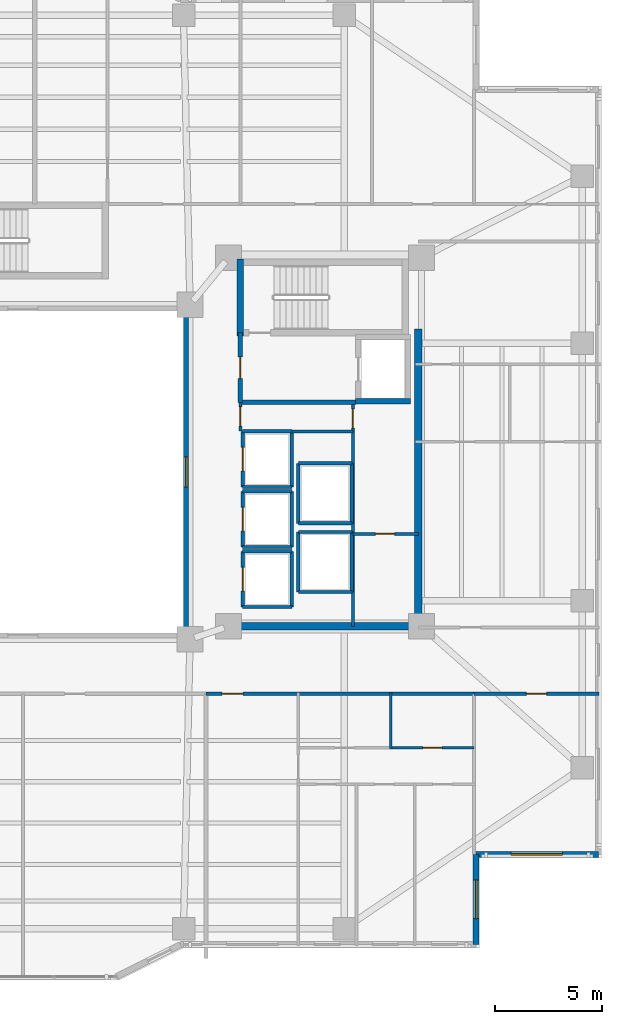
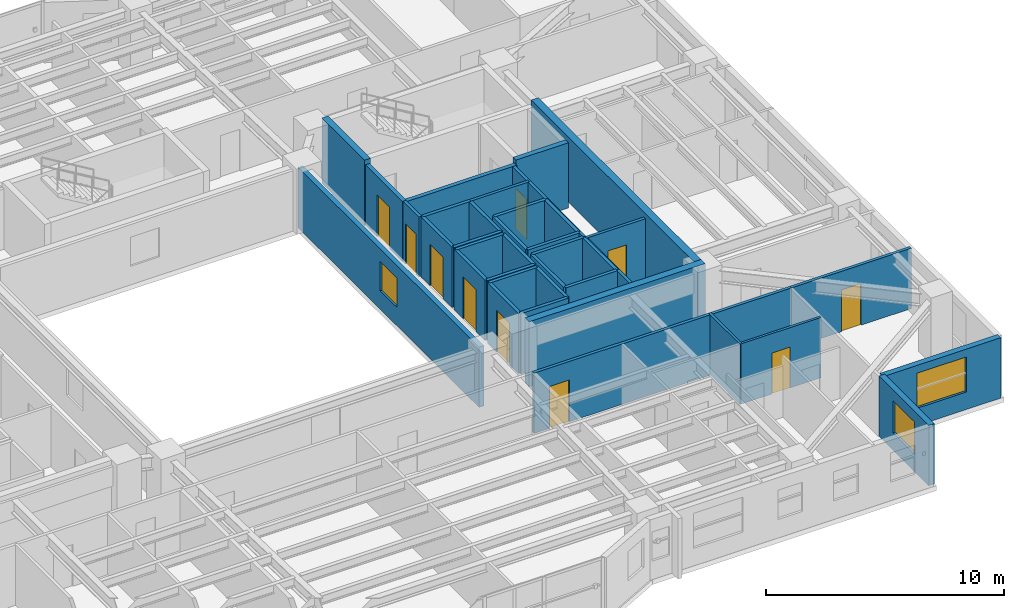
# One storey, part 8 of 18: 37 walls, 10 doors, 3 windows, 13 openings.
"""IFC4 building model written with IfcOpenShell, lengths in metres."""

from ifc_helpers import new_model, si_unit, direction, frame, frame_2d, origin, place, context, subcontext, project, spatial, rectangle, extrude, material, layer, layer_set, type_object, element, fill, save


model = new_model("IFC4")

# Units and contexts
model_context = context("Model", 3, precision=1e-05, world=origin(), true_north=direction((0.0, 1.0)))
body_context = subcontext(model_context, "Body", "Model", "MODEL_VIEW")
ifc_project = project(units=[si_unit("LENGTHUNIT", "METRE"), si_unit("AREAUNIT", "SQUARE_METRE"), si_unit("VOLUMEUNIT", "CUBIC_METRE"), si_unit("PLANEANGLEUNIT", "RADIAN"), si_unit("MASSUNIT", "GRAM", prefix="KILO")], contexts=[model_context])

# Site, building, storey
site_placement = place(None, origin())
site = spatial("IfcSite", under=ifc_project, at=site_placement, CompositionType="ELEMENT")
building_placement = place(site_placement, origin())
building = spatial("IfcBuilding", under=site, at=building_placement, Name="Tarnavaz Court Tower", CompositionType="ELEMENT")
storey_placement = place(building_placement, frame((0.0, 0.0, 105.10009765625)))
storey = spatial("IfcBuildingStorey", under=building, at=storey_placement, Name="L28", CompositionType="ELEMENT", Elevation=105.10009765625)

# Walls
ifc_material_1 = material(Name="Concrete C60/75", Category="concrete")
ifc_layer_1 = layer(ifc_material_1, 0.25)
ifc_layer_set_1 = layer_set([ifc_layer_1], Name="Concrete C60/75")
wall_type_1 = type_object("IfcWallType", Name="WL-CORE-250-C60", PredefinedType="SHEAR", material=ifc_layer_set_1)
wall_1_placement = place(storey_placement, frame((15.52490234375, 3.300048828125, 0.0), z_axis=(0.0, 0.0, 1.0), x_axis=(1.0, 0.0, 0.0)))
element("IfcWall", 1, at=wall_1_placement, inside=storey, type_object=wall_type_1, Name="L28 Lift FL-E1 Shaft Wall 035", PredefinedType="SHEAR", context=body_context, shape_type="SweptSolid", body=[
    extrude(rectangle(XDim=2.550048828125, YDim=0.25, at=frame_2d((1.27490234375, 0.0))), origin(), (0.0, 0.0, 1.0), 3.349853515625),
])
ifc_layer_2 = layer(ifc_material_1, 0.300048828125)
ifc_layer_set_2 = layer_set([ifc_layer_2], Name="Concrete C60/75")
wall_type_2 = type_object("IfcWallType", Name="WL-CORE-300-C60", PredefinedType="SHEAR", material=ifc_layer_set_2)
wall_2_placement = place(storey_placement, frame((10.14990234375, 6.35009765625, 0.0), z_axis=(0.0, 0.0, 1.0), x_axis=(0.0, 1.0, 0.0)))
element("IfcWall", 2, at=wall_2_placement, inside=storey, type_object=wall_type_2, Name="L28 East Stair Core Wall 007", PredefinedType="SHEAR", context=body_context, shape_type="SweptSolid", body=[
    extrude(rectangle(XDim=3.58984375, YDim=0.300048828125, at=frame_2d((1.794921875, 0.0))), origin(), (0.0, 0.0, 1.0), 3.349853515625),
])
ifc_layer_3 = layer(ifc_material_1, 0.35009765625)
ifc_layer_set_3 = layer_set([ifc_layer_3], Name="Concrete C60/75")
wall_type_3 = type_object("IfcWallType", Name="WL-CORE-350-C60", PredefinedType="SHEAR", material=ifc_layer_set_3)
wall_3_placement = place(storey_placement, frame((18.449951171875, -7.375, 0.0), z_axis=(0.0, 0.0, 1.0), x_axis=(0.0, 1.0, 0.0)))
element("IfcWall", 3, at=wall_3_placement, inside=storey, type_object=wall_type_3, Name="L28 East Core Shear Wall 059", PredefinedType="SHEAR", context=body_context, shape_type="SweptSolid", body=[
    extrude(rectangle(XDim=14.050048828125, YDim=0.35009765625, at=frame_2d((7.02490234375, 0.0))), origin(), (0.0, 0.0, 1.0), 3.349853515625),
])
wall_4_placement = place(storey_placement, frame((10.074951171875, -7.199951171875, 0.0), z_axis=(0.0, 0.0, 1.0), x_axis=(1.0, 0.0, 0.0)))
element("IfcWall", 4, at=wall_4_placement, inside=storey, type_object=wall_type_3, Name="L28 East Core South Shear Wall 060", PredefinedType="SHEAR", context=body_context, shape_type="SweptSolid", body=[
    extrude(rectangle(XDim=8.550048828125, YDim=0.35009765625, at=frame_2d((4.27490234375, 0.0))), origin(), (0.0, 0.0, 1.0), 3.349853515625),
])

# Wall, opening, window
ifc_material_2 = material(Name="Precast Concrete C40/50", Category="concrete")
ifc_layer_4 = layer(ifc_material_2, 0.280029296875)
ifc_layer_set_4 = layer_set([ifc_layer_4], Name="Precast Concrete C40/50")
wall_type_4 = type_object("IfcWallType", Name="WL-EXT-280", PredefinedType="SOLIDWALL", material=ifc_layer_set_4)
wall_5_placement = place(storey_placement, frame((26.85009765625, -17.85009765625, 0.0), z_axis=(0.0, 0.0, 1.0), x_axis=(-1.0, 0.0, 0.0)))
wall_5 = element("IfcWall", 5, at=wall_5_placement, inside=storey, type_object=wall_type_4, Name="L28 Exterior Terracotta Facade Wall 13", PredefinedType="SOLIDWALL", context=body_context, shape_type="SweptSolid", body=[
    extrude(rectangle(XDim=5.7001953125, YDim=0.280029296875, at=frame_2d((2.85009765625, 0.0))), origin(), (0.0, 0.0, 1.0), 3.099853515625),
])
opening_1_placement = place(wall_5_placement, frame((1.675048828125, 0.0, 0.89990234375)))
opening_1 = element("IfcOpeningElement", 6, at=opening_1_placement, cuts=wall_5, Name="Opening W06", PredefinedType="OPENING", context=body_context, shape_type="SweptSolid", body=[
    extrude(rectangle(XDim=2.39990234375, YDim=1.800048828125, at=frame_2d((1.199951171875, 0.89990234375))), frame((0.0, 0.14990234375, 0.0), z_axis=(0.0, -1.0, 0.0), x_axis=(1.0, 0.0, 0.0)), (0.0, 0.0, 1.0), 0.300048828125),
])
ifc_material_3 = material(Name="Double-Glazed Solar Low-E Glass", Category="glass")
window_type_1 = type_object("IfcWindowType", Name="WN-APT-2400", PartitioningType="TRIPLE_PANEL_VERTICAL", PredefinedType="WINDOW", material=ifc_material_3)
window_1_placement = place(opening_1_placement, origin())
window_1 = element("IfcWindow", 7, at=window_1_placement, inside=storey, type_object=window_type_1, Name="L28 South-East Corner Reading Room Window", OverallHeight=1.800048828125, OverallWidth=2.39990234375, PartitioningType="SINGLE_PANEL", PredefinedType="WINDOW", context=body_context, shape_type="SweptSolid", body=[
    extrude(rectangle(XDim=2.39990234375, YDim=1.800048828125, at=frame_2d((1.199951171875, 0.89990234375))), frame((0.0, 0.030029296875, 0.0), z_axis=(0.0, -1.0, 0.0), x_axis=(1.0, 0.0, 0.0)), (0.0, 0.0, 1.0), 0.06005859375),
])
fill(opening_1, window_1)

wall_6_placement = place(storey_placement, frame((21.14990234375, -17.85009765625, 0.0), z_axis=(0.0, 0.0, 1.0), x_axis=(0.0, -1.0, 0.0)))
wall_6 = element("IfcWall", 8, at=wall_6_placement, inside=storey, type_object=wall_type_4, Name="L28 Exterior Terracotta Facade Wall 14", PredefinedType="SOLIDWALL", context=body_context, shape_type="SweptSolid", body=[
    extrude(rectangle(XDim=4.199951171875, YDim=0.280029296875, at=frame_2d((2.10009765625, 0.0))), origin(), (0.0, 0.0, 1.0), 3.099853515625),
])
opening_2_placement = place(wall_6_placement, frame((1.18212890625, 0.0, 0.89990234375)))
opening_2 = element("IfcOpeningElement", 9, at=opening_2_placement, cuts=wall_6, Name="Opening W01", PredefinedType="OPENING", context=body_context, shape_type="SweptSolid", body=[
    extrude(rectangle(XDim=1.800048828125, YDim=1.64990234375, at=frame_2d((0.89990234375, 0.824951171875))), frame((0.0, 0.14990234375, 0.0), z_axis=(0.0, -1.0, 0.0), x_axis=(1.0, 0.0, 0.0)), (0.0, 0.0, 1.0), 0.300048828125),
])
window_type_2 = type_object("IfcWindowType", Name="WN-APT-1800", PartitioningType="DOUBLE_PANEL_VERTICAL", PredefinedType="WINDOW", material=ifc_material_3)
window_2_placement = place(opening_2_placement, origin())
window_2 = element("IfcWindow", 10, at=window_2_placement, inside=storey, type_object=window_type_2, Name="L28 Flat 01 Bedroom 3 Window", OverallHeight=1.64990234375, OverallWidth=1.800048828125, PartitioningType="SINGLE_PANEL", PredefinedType="WINDOW", context=body_context, shape_type="SweptSolid", body=[
    extrude(rectangle(XDim=1.800048828125, YDim=1.64990234375, at=frame_2d((0.89990234375, 0.824951171875))), frame((0.0, 0.030029296875, 0.0), z_axis=(0.0, -1.0, 0.0), x_axis=(1.0, 0.0, 0.0)), (0.0, 0.0, 1.0), 0.06005859375),
])
fill(opening_2, window_2)

# Wall, opening, door
ifc_material_4 = material(Name="Gypsum Fire-Board on Acoustic Metal Stud", Category="masonry")
ifc_layer_5 = layer(ifc_material_4, 0.14990234375)
ifc_layer_set_5 = layer_set([ifc_layer_5], Name="Gypsum Fire-Board on Acoustic Metal Stud")
wall_type_5 = type_object("IfcWallType", Name="WL-FIRE-150", PredefinedType="PARTITIONING", material=ifc_layer_set_5)
wall_7_placement = place(storey_placement, frame((8.550048828125, -10.35009765625, 0.0), z_axis=(0.0, 0.0, 1.0), x_axis=(1.0, 0.0, 0.0)))
wall_7 = element("IfcWall", 11, at=wall_7_placement, inside=storey, type_object=wall_type_5, Name="L28 SE Horseshoe Wall 074", PredefinedType="PARTITIONING", context=body_context, shape_type="SweptSolid", body=[
    extrude(rectangle(XDim=12.5, YDim=0.14990234375, at=frame_2d((6.25, 0.0))), origin(), (0.0, 0.0, 1.0), 3.099853515625),
])
opening_3_placement = place(wall_7_placement, frame((0.75, 0.0, 0.0)))
opening_3 = element("IfcOpeningElement", 12, at=opening_3_placement, cuts=wall_7, Name="Opening D06", PredefinedType="OPENING", context=body_context, shape_type="SweptSolid", body=[
    extrude(rectangle(XDim=0.9599609375, YDim=2.14990234375, at=frame_2d((0.47998046875, 1.074951171875))), frame((0.0, 0.0849609375, 0.0), z_axis=(0.0, -1.0, 0.0), x_axis=(1.0, 0.0, 0.0)), (0.0, 0.0, 1.0), 0.169921875),
])
ifc_material_5 = material(Name="Fire-Rated Hardwood Timber Core", Category="wood")
door_type_1 = type_object("IfcDoorType", Name="DR-FD60-950", OperationType="NOTDEFINED", PredefinedType="DOOR", material=ifc_material_5)
door_1_placement = place(opening_3_placement, origin())
door_1 = element("IfcDoor", 13, at=door_1_placement, inside=storey, type_object=door_type_1, Name="L28 Flat 01 Entrance Door", OperationType="SINGLE_SWING_RIGHT", OverallHeight=2.14990234375, OverallWidth=0.9599609375, PredefinedType="DOOR", context=body_context, shape_type="SweptSolid", body=[
    extrude(rectangle(XDim=0.9599609375, YDim=2.14990234375, at=frame_2d((0.47998046875, 1.074951171875))), frame((0.0, 0.02490234375, 0.0), z_axis=(0.0, -1.0, 0.0), x_axis=(1.0, 0.0, 0.0)), (0.0, 0.0, 1.0), 0.050048828125),
])
fill(opening_3, door_1)

wall_8_placement = place(storey_placement, frame((21.050048828125, -10.35009765625, 0.0), z_axis=(0.0, 0.0, 1.0), x_axis=(1.0, 0.0, 0.0)))
wall_8 = element("IfcWall", 14, at=wall_8_placement, inside=storey, type_object=wall_type_5, Name="L28 Interior Partition 106", PredefinedType="PARTITIONING", context=body_context, shape_type="SweptSolid", body=[
    extrude(rectangle(XDim=5.829833984375, YDim=0.14990234375, at=frame_2d((2.9150390625, 0.0))), origin(), (0.0, 0.0, 1.0), 3.099853515625),
])
opening_4_placement = place(wall_8_placement, frame((2.43994140625, 0.0, 0.0)))
opening_4 = element("IfcOpeningElement", 15, at=opening_4_placement, cuts=wall_8, Name="Opening D13", PredefinedType="OPENING", context=body_context, shape_type="SweptSolid", body=[
    extrude(rectangle(XDim=0.949951171875, YDim=2.14990234375, at=frame_2d((0.47509765625, 1.074951171875))), frame((0.0, 0.0849609375, 0.0), z_axis=(0.0, -1.0, 0.0), x_axis=(1.0, 0.0, 0.0)), (0.0, 0.0, 1.0), 0.169921875),
])
ifc_material_6 = material(Name="Engineered Oak Timber", Category="wood")
door_type_2 = type_object("IfcDoorType", Name="DR-INT-950", OperationType="NOTDEFINED", PredefinedType="DOOR", material=ifc_material_6)
door_2_placement = place(opening_4_placement, origin())
door_2 = element("IfcDoor", 16, at=door_2_placement, inside=storey, type_object=door_type_2, Name="L28 SE Reading Room Door", OperationType="SINGLE_SWING_RIGHT", OverallHeight=2.14990234375, OverallWidth=0.949951171875, PredefinedType="DOOR", context=body_context, shape_type="SweptSolid", body=[
    extrude(rectangle(XDim=0.949951171875, YDim=2.14990234375, at=frame_2d((0.47509765625, 1.074951171875))), frame((0.0, 0.02490234375, 0.0), z_axis=(0.0, -1.0, 0.0), x_axis=(1.0, 0.0, 0.0)), (0.0, 0.0, 1.0), 0.050048828125),
])
fill(opening_4, door_2)

# Wall
ifc_material_7 = material(Name="Autoclaved Aerated Concrete Blockwork", Category="masonry")
ifc_layer_6 = layer(ifc_material_7, 0.199951171875)
ifc_layer_set_6 = layer_set([ifc_layer_6], Name="Autoclaved Aerated Concrete Blockwork")
wall_type_6 = type_object("IfcWallType", Name="WL-FIRE-200", PredefinedType="SOLIDWALL", material=ifc_layer_set_6)
wall_9_placement = place(storey_placement, frame((10.14990234375, 3.25, 0.0), z_axis=(0.0, 0.0, 1.0), x_axis=(1.0, 0.0, 0.0)))
element("IfcWall", 17, at=wall_9_placement, inside=storey, type_object=wall_type_6, Name="L28 East Firefighting Lobby Wall 015", PredefinedType="SOLIDWALL", context=body_context, shape_type="SweptSolid", body=[
    extrude(rectangle(XDim=5.400146484375, YDim=0.199951171875, at=frame_2d((2.7001953125, 0.0))), origin(), (0.0, 0.0, 1.0), 3.099853515625),
])

# Wall, opening, door
wall_10_placement = place(storey_placement, frame((10.14990234375, 3.25, 0.0), z_axis=(0.0, 0.0, 1.0), x_axis=(0.0, 1.0, 0.0)))
wall_10 = element("IfcWall", 18, at=wall_10_placement, inside=storey, type_object=wall_type_6, Name="L28 East Firefighting Lobby Wall 016", PredefinedType="SOLIDWALL", context=body_context, shape_type="SweptSolid", body=[
    extrude(rectangle(XDim=3.25, YDim=0.199951171875, at=frame_2d((1.625, 0.0))), origin(), (0.0, 0.0, 1.0), 3.099853515625),
])
opening_5_placement = place(wall_10_placement, frame((1.10009765625, 0.0, 0.0)))
opening_5 = element("IfcOpeningElement", 19, at=opening_5_placement, cuts=wall_10, Name="Opening D05", PredefinedType="OPENING", context=body_context, shape_type="SweptSolid", body=[
    extrude(rectangle(XDim=1.02001953125, YDim=2.14990234375, at=frame_2d((0.510009765625, 1.074951171875))), frame((0.0, 0.10986328125, 0.0), z_axis=(0.0, -1.0, 0.0), x_axis=(1.0, 0.0, 0.0)), (0.0, 0.0, 1.0), 0.219970703125),
])
door_type_3 = type_object("IfcDoorType", Name="DR-FD60-1000", OperationType="NOTDEFINED", PredefinedType="DOOR", material=ifc_material_5)
door_3_placement = place(opening_5_placement, origin())
door_3 = element("IfcDoor", 20, at=door_3_placement, inside=storey, type_object=door_type_3, Name="L28 East Firefighting Lobby Door", OperationType="SINGLE_SWING_LEFT", OverallHeight=2.14990234375, OverallWidth=1.02001953125, PredefinedType="DOOR", context=body_context, shape_type="SweptSolid", body=[
    extrude(rectangle(XDim=1.02001953125, YDim=2.14990234375, at=frame_2d((0.510009765625, 1.074951171875))), frame((0.0, 0.02490234375, 0.0), z_axis=(0.0, -1.0, 0.0), x_axis=(1.0, 0.0, 0.0)), (0.0, 0.0, 1.0), 0.050048828125),
])
fill(opening_5, door_3)

ifc_material_8 = material(Name="Moisture-Resistant Gypsum Board Partition", Category="masonry")
ifc_layer_7 = layer(ifc_material_8, 0.1201171875)
ifc_layer_set_7 = layer_set([ifc_layer_7], Name="Moisture-Resistant Gypsum Board Partition")
wall_type_7 = type_object("IfcWallType", Name="WL-PART-120", PredefinedType="PARTITIONING", material=ifc_layer_set_7)
wall_11_placement = place(storey_placement, frame((17.1650390625, -12.860107421875, 0.0), z_axis=(0.0, 0.0, 1.0), x_axis=(1.0, 0.0, 0.0)))
wall_11 = element("IfcWall", 21, at=wall_11_placement, inside=storey, type_object=wall_type_7, Name="L28 Interior Partition 086", PredefinedType="PARTITIONING", context=body_context, shape_type="SweptSolid", body=[
    extrude(rectangle(XDim=3.885009765625, YDim=0.1201171875, at=frame_2d((1.9423828125, 0.0))), origin(), (0.0, 0.0, 1.0), 3.099853515625),
])
opening_6_placement = place(wall_11_placement, frame((1.5029296875, 0.0, 0.0)))
opening_6 = element("IfcOpeningElement", 22, at=opening_6_placement, cuts=wall_11, Name="Opening D14", PredefinedType="OPENING", context=body_context, shape_type="SweptSolid", body=[
    extrude(rectangle(XDim=0.8798828125, YDim=2.10009765625, at=frame_2d((0.43994140625, 1.050048828125))), frame((0.0, 0.070068359375, 0.0), z_axis=(0.0, -1.0, 0.0), x_axis=(1.0, 0.0, 0.0)), (0.0, 0.0, 1.0), 0.14013671875),
])
door_type_4 = type_object("IfcDoorType", Name="DR-INT-900", OperationType="NOTDEFINED", PredefinedType="DOOR", material=ifc_material_6)
door_4_placement = place(opening_6_placement, origin())
door_4 = element("IfcDoor", 23, at=door_4_placement, inside=storey, type_object=door_type_4, Name="L28 Flat 01 Bathroom Door", OperationType="SINGLE_SWING_LEFT", OverallHeight=2.10009765625, OverallWidth=0.8798828125, PredefinedType="DOOR", context=body_context, shape_type="SweptSolid", body=[
    extrude(rectangle(XDim=0.8798828125, YDim=2.10009765625, at=frame_2d((0.43994140625, 1.050048828125))), frame((0.0, 0.02490234375, 0.0), z_axis=(0.0, -1.0, 0.0), x_axis=(1.0, 0.0, 0.0)), (0.0, 0.0, 1.0), 0.050048828125),
])
fill(opening_6, door_4)

# Walls
wall_12_placement = place(storey_placement, frame((17.1650390625, -12.919921875, 0.0), z_axis=(0.0, 0.0, 1.0), x_axis=(0.0, 1.0, 0.0)))
element("IfcWall", 24, at=wall_12_placement, inside=storey, type_object=wall_type_7, Name="L28 Interior Partition 088", PredefinedType="PARTITIONING", context=body_context, shape_type="SweptSolid", body=[
    extrude(rectangle(XDim=2.6298828125, YDim=0.1201171875, at=frame_2d((1.31494140625, 0.0))), origin(), (0.0, 0.0, 1.0), 3.099853515625),
])
ifc_material_9 = material(Name="Gypsum Plasterboard Acoustic Partition", Category="masonry")
ifc_layer_8 = layer(ifc_material_9, 0.139892578125)
ifc_layer_set_8 = layer_set([ifc_layer_8], Name="Gypsum Plasterboard Acoustic Partition")
wall_type_8 = type_object("IfcWallType", Name="WL-PART-150", PredefinedType="PARTITIONING", material=ifc_layer_set_8)
wall_13_placement = place(storey_placement, frame((12.550048828125, 1.89990234375, 0.0), z_axis=(0.0, 0.0, 1.0), x_axis=(1.0, 0.0, 0.0)))
element("IfcWall", 25, at=wall_13_placement, inside=storey, type_object=wall_type_8, Name="L28 Interior Partition 067", PredefinedType="PARTITIONING", context=body_context, shape_type="SweptSolid", body=[
    extrude(rectangle(XDim=2.849853515625, YDim=0.139892578125, at=frame_2d((1.4248046875, 0.0))), origin(), (0.0, 0.0, 1.0), 3.099853515625),
])

# Wall, opening, door
wall_14_placement = place(storey_placement, frame((10.14990234375, 1.919921875, 0.0), z_axis=(0.0, 0.0, 1.0), x_axis=(0.0, 1.0, 0.0)))
wall_14 = element("IfcWall", 26, at=wall_14_placement, inside=storey, type_object=wall_type_8, Name="L28 Interior Partition 068", PredefinedType="PARTITIONING", context=body_context, shape_type="SweptSolid", body=[
    extrude(rectangle(XDim=1.330078125, YDim=0.139892578125, at=frame_2d((0.6650390625, 0.0))), origin(), (0.0, 0.0, 1.0), 3.099853515625),
])
opening_7_placement = place(wall_14_placement, frame((0.219970703125, 0.0, 0.0)))
opening_7 = element("IfcOpeningElement", 27, at=opening_7_placement, cuts=wall_14, Name="Opening D09", PredefinedType="OPENING", context=body_context, shape_type="SweptSolid", body=[
    extrude(rectangle(XDim=0.89990234375, YDim=2.080078125, at=frame_2d((0.449951171875, 1.0400390625))), frame((0.0, 0.079833984375, 0.0), z_axis=(0.0, -1.0, 0.0), x_axis=(1.0, 0.0, 0.0)), (0.0, 0.0, 1.0), 0.159912109375),
])
door_type_5 = type_object("IfcDoorType", Name="DR-FD30-900", OperationType="NOTDEFINED", PredefinedType="DOOR", material=ifc_material_5)
door_5_placement = place(opening_7_placement, origin())
door_5 = element("IfcDoor", 28, at=door_5_placement, inside=storey, type_object=door_type_5, Name="L28 East Core Service Lobby Door", OperationType="SINGLE_SWING_RIGHT", OverallHeight=2.080078125, OverallWidth=0.89990234375, PredefinedType="DOOR", context=body_context, shape_type="SweptSolid", body=[
    extrude(rectangle(XDim=0.89990234375, YDim=2.080078125, at=frame_2d((0.449951171875, 1.0400390625))), frame((0.0, 0.02490234375, 0.0), z_axis=(0.0, -1.0, 0.0), x_axis=(1.0, 0.0, 0.0)), (0.0, 0.0, 1.0), 0.050048828125),
])
fill(opening_7, door_5)

wall_15_placement = place(storey_placement, frame((15.39990234375, -7.199951171875, 0.0), z_axis=(0.0, 0.0, 1.0), x_axis=(0.0, 1.0, 0.0)))
wall_15 = element("IfcWall", 29, at=wall_15_placement, inside=storey, type_object=wall_type_8, Name="L28 Interior Partition 069", PredefinedType="PARTITIONING", context=body_context, shape_type="SweptSolid", body=[
    extrude(rectangle(XDim=10.449951171875, YDim=0.139892578125, at=frame_2d((5.22509765625, 0.0))), origin(), (0.0, 0.0, 1.0), 3.099853515625),
])
opening_8_placement = place(wall_15_placement, frame((9.25, 0.0, 0.0)))
opening_8 = element("IfcOpeningElement", 30, at=opening_8_placement, cuts=wall_15, Name="Opening D09", PredefinedType="OPENING", context=body_context, shape_type="SweptSolid", body=[
    extrude(rectangle(XDim=0.89990234375, YDim=2.080078125, at=frame_2d((0.449951171875, 1.0400390625))), frame((0.0, 0.079833984375, 0.0), z_axis=(0.0, -1.0, 0.0), x_axis=(1.0, 0.0, 0.0)), (0.0, 0.0, 1.0), 0.159912109375),
])
door_6_placement = place(opening_8_placement, origin())
door_6 = element("IfcDoor", 31, at=door_6_placement, inside=storey, type_object=door_type_5, Name="L28 East Wet Riser Door", OperationType="SINGLE_SWING_LEFT", OverallHeight=2.080078125, OverallWidth=0.89990234375, PredefinedType="DOOR", context=body_context, shape_type="SweptSolid", body=[
    extrude(rectangle(XDim=0.89990234375, YDim=2.080078125, at=frame_2d((0.449951171875, 1.0400390625))), frame((0.0, 0.02490234375, 0.0), z_axis=(0.0, -1.0, 0.0), x_axis=(1.0, 0.0, 0.0)), (0.0, 0.0, 1.0), 0.050048828125),
])
fill(opening_8, door_6)

wall_16_placement = place(storey_placement, frame((15.39990234375, -2.889892578125, 0.0), z_axis=(0.0, 0.0, 1.0), x_axis=(1.0, 0.0, 0.0)))
wall_16 = element("IfcWall", 32, at=wall_16_placement, inside=storey, type_object=wall_type_8, Name="L28 Interior Partition 070", PredefinedType="PARTITIONING", context=body_context, shape_type="SweptSolid", body=[
    extrude(rectangle(XDim=3.050048828125, YDim=0.139892578125, at=frame_2d((1.52490234375, 0.0))), origin(), (0.0, 0.0, 1.0), 3.099853515625),
])
opening_9_placement = place(wall_16_placement, frame((1.050048828125, 0.0, 0.0)))
opening_9 = element("IfcOpeningElement", 33, at=opening_9_placement, cuts=wall_16, Name="Opening D09", PredefinedType="OPENING", context=body_context, shape_type="SweptSolid", body=[
    extrude(rectangle(XDim=0.89990234375, YDim=2.080078125, at=frame_2d((0.449951171875, 1.0400390625))), frame((0.0, 0.079833984375, 0.0), z_axis=(0.0, -1.0, 0.0), x_axis=(1.0, 0.0, 0.0)), (0.0, 0.0, 1.0), 0.159912109375),
])
door_7_placement = place(opening_9_placement, origin())
door_7 = element("IfcDoor", 34, at=door_7_placement, inside=storey, type_object=door_type_5, Name="L28 East Electrical Plant Door", OperationType="SINGLE_SWING_RIGHT", OverallHeight=2.080078125, OverallWidth=0.89990234375, PredefinedType="DOOR", context=body_context, shape_type="SweptSolid", body=[
    extrude(rectangle(XDim=0.89990234375, YDim=2.080078125, at=frame_2d((0.449951171875, 1.0400390625))), frame((0.0, 0.02490234375, 0.0), z_axis=(0.0, -1.0, 0.0), x_axis=(1.0, 0.0, 0.0)), (0.0, 0.0, 1.0), 0.050048828125),
])
fill(opening_9, door_7)

ifc_layer_9 = layer(ifc_material_7, 0.159912109375)
ifc_layer_set_9 = layer_set([ifc_layer_9], Name="Autoclaved Aerated Concrete Blockwork")
wall_type_9 = type_object("IfcWallType", Name="WL-SHAFT-150", PredefinedType="SOLIDWALL", material=ifc_layer_set_9)
wall_17_placement = place(storey_placement, frame((10.25, -6.300048828125, 0.0), z_axis=(0.0, 0.0, 1.0), x_axis=(0.0, 1.0, 0.0)))
wall_17 = element("IfcWall", 35, at=wall_17_placement, inside=storey, type_object=wall_type_9, Name="L28 Lift PL-M1 Shaft Wall 037", PredefinedType="SOLIDWALL", context=body_context, shape_type="SweptSolid", body=[
    extrude(rectangle(XDim=2.60009765625, YDim=0.159912109375, at=frame_2d((1.300048828125, 0.0))), origin(), (0.0, 0.0, 1.0), 3.099853515625),
])
opening_10_placement = place(wall_17_placement, frame((0.75, 0.0, 0.0)))
opening_10 = element("IfcOpeningElement", 36, at=opening_10_placement, cuts=wall_17, Name="Opening LD1", PredefinedType="OPENING", context=body_context, shape_type="SweptSolid", body=[
    extrude(rectangle(XDim=1.10009765625, YDim=2.14990234375, at=frame_2d((0.550048828125, 1.074951171875))), frame((0.0, 0.08984375, 0.0), z_axis=(0.0, -1.0, 0.0), x_axis=(1.0, 0.0, 0.0)), (0.0, 0.0, 1.0), 0.179931640625),
])
ifc_material_10 = material(Name="Stainless Steel", Category="steel")
door_type_6 = type_object("IfcDoorType", Name="DR-LD-1100", OperationType="NOTDEFINED", PredefinedType="DOOR", material=ifc_material_10)
door_8_placement = place(opening_10_placement, origin())
door_8 = element("IfcDoor", 37, at=door_8_placement, inside=storey, type_object=door_type_6, Name="L28 Lift Landing Door LD-PL-M1", OperationType="SLIDING_TO_LEFT", OverallHeight=2.14990234375, OverallWidth=1.10009765625, PredefinedType="DOOR", context=body_context, shape_type="SweptSolid", body=[
    extrude(rectangle(XDim=1.10009765625, YDim=2.14990234375, at=frame_2d((0.550048828125, 1.074951171875))), frame((0.0, 0.02490234375, 0.0), z_axis=(0.0, -1.0, 0.0), x_axis=(1.0, 0.0, 0.0)), (0.0, 0.0, 1.0), 0.050048828125),
])
fill(opening_10, door_8)

# Walls
wall_18_placement = place(storey_placement, frame((12.550048828125, -6.300048828125, 0.0), z_axis=(0.0, 0.0, 1.0), x_axis=(0.0, 1.0, 0.0)))
element("IfcWall", 38, at=wall_18_placement, inside=storey, type_object=wall_type_9, Name="L28 Lift PL-M1 Shaft Wall 038", PredefinedType="SOLIDWALL", context=body_context, shape_type="SweptSolid", body=[
    extrude(rectangle(XDim=2.60009765625, YDim=0.159912109375, at=frame_2d((1.300048828125, 0.0))), origin(), (0.0, 0.0, 1.0), 3.099853515625),
])
for number, where, z_axis, x_axis, name in (
    (39, (10.25, -6.300048828125, 0.0), (0.0, 0.0, 1.0), (1.0, 0.0, 0.0), "L28 Lift PL-M1 Shaft Wall 039"),
    (40, (10.25, -3.699951171875, 0.0), (0.0, 0.0, 1.0), (1.0, 0.0, 0.0), "L28 Lift PL-M1 Shaft Wall 040"),
):
    element("IfcWall", number, at=place(storey_placement, frame(where, z_axis=z_axis, x_axis=x_axis)), inside=storey, type_object=wall_type_9, Name=name, PredefinedType="SOLIDWALL", context=body_context, shape_type="SweptSolid", body=[
        extrude(rectangle(XDim=2.300048828125, YDim=0.159912109375, at=frame_2d((1.14990234375, 0.0))), origin(), (0.0, 0.0, 1.0), 3.099853515625),
    ])

# Wall, opening, door
wall_19_placement = place(storey_placement, frame((10.25, -3.5, 0.0), z_axis=(0.0, 0.0, 1.0), x_axis=(0.0, 1.0, 0.0)))
wall_19 = element("IfcWall", 41, at=wall_19_placement, inside=storey, type_object=wall_type_9, Name="L28 Lift PL-M2 Shaft Wall 041", PredefinedType="SOLIDWALL", context=body_context, shape_type="SweptSolid", body=[
    extrude(rectangle(XDim=2.60009765625, YDim=0.159912109375, at=frame_2d((1.300048828125, 0.0))), origin(), (0.0, 0.0, 1.0), 3.099853515625),
])
opening_11_placement = place(wall_19_placement, frame((0.75, 0.0, 0.0)))
opening_11 = element("IfcOpeningElement", 42, at=opening_11_placement, cuts=wall_19, Name="Opening LD1", PredefinedType="OPENING", context=body_context, shape_type="SweptSolid", body=[
    extrude(rectangle(XDim=1.10009765625, YDim=2.14990234375, at=frame_2d((0.550048828125, 1.074951171875))), frame((0.0, 0.08984375, 0.0), z_axis=(0.0, -1.0, 0.0), x_axis=(1.0, 0.0, 0.0)), (0.0, 0.0, 1.0), 0.179931640625),
])
door_9_placement = place(opening_11_placement, origin())
door_9 = element("IfcDoor", 43, at=door_9_placement, inside=storey, type_object=door_type_6, Name="L28 Lift Landing Door LD-PL-M2", OperationType="SLIDING_TO_LEFT", OverallHeight=2.14990234375, OverallWidth=1.10009765625, PredefinedType="DOOR", context=body_context, shape_type="SweptSolid", body=[
    extrude(rectangle(XDim=1.10009765625, YDim=2.14990234375, at=frame_2d((0.550048828125, 1.074951171875))), frame((0.0, 0.02490234375, 0.0), z_axis=(0.0, -1.0, 0.0), x_axis=(1.0, 0.0, 0.0)), (0.0, 0.0, 1.0), 0.050048828125),
])
fill(opening_11, door_9)

# Walls
wall_20_placement = place(storey_placement, frame((12.550048828125, -3.5, 0.0), z_axis=(0.0, 0.0, 1.0), x_axis=(0.0, 1.0, 0.0)))
element("IfcWall", 44, at=wall_20_placement, inside=storey, type_object=wall_type_9, Name="L28 Lift PL-M2 Shaft Wall 042", PredefinedType="SOLIDWALL", context=body_context, shape_type="SweptSolid", body=[
    extrude(rectangle(XDim=2.60009765625, YDim=0.159912109375, at=frame_2d((1.300048828125, 0.0))), origin(), (0.0, 0.0, 1.0), 3.099853515625),
])
for number, where, z_axis, x_axis, name in (
    (45, (10.25, -3.5, 0.0), (0.0, 0.0, 1.0), (1.0, 0.0, 0.0), "L28 Lift PL-M2 Shaft Wall 043"),
    (46, (10.25, -0.89990234375, 0.0), (0.0, 0.0, 1.0), (1.0, 0.0, 0.0), "L28 Lift PL-M2 Shaft Wall 044"),
):
    element("IfcWall", number, at=place(storey_placement, frame(where, z_axis=z_axis, x_axis=x_axis)), inside=storey, type_object=wall_type_9, Name=name, PredefinedType="SOLIDWALL", context=body_context, shape_type="SweptSolid", body=[
        extrude(rectangle(XDim=2.300048828125, YDim=0.159912109375, at=frame_2d((1.14990234375, 0.0))), origin(), (0.0, 0.0, 1.0), 3.099853515625),
    ])

# Wall, opening, door
wall_21_placement = place(storey_placement, frame((10.25, -0.699951171875, 0.0), z_axis=(0.0, 0.0, 1.0), x_axis=(0.0, 1.0, 0.0)))
wall_21 = element("IfcWall", 47, at=wall_21_placement, inside=storey, type_object=wall_type_9, Name="L28 Lift PL-M3 Shaft Wall 045", PredefinedType="SOLIDWALL", context=body_context, shape_type="SweptSolid", body=[
    extrude(rectangle(XDim=2.599853515625, YDim=0.159912109375, at=frame_2d((1.2998046875, 0.0))), origin(), (0.0, 0.0, 1.0), 3.099853515625),
])
opening_12_placement = place(wall_21_placement, frame((0.75, 0.0, 0.0)))
opening_12 = element("IfcOpeningElement", 48, at=opening_12_placement, cuts=wall_21, Name="Opening LD1", PredefinedType="OPENING", context=body_context, shape_type="SweptSolid", body=[
    extrude(rectangle(XDim=1.10009765625, YDim=2.14990234375, at=frame_2d((0.550048828125, 1.074951171875))), frame((0.0, 0.08984375, 0.0), z_axis=(0.0, -1.0, 0.0), x_axis=(1.0, 0.0, 0.0)), (0.0, 0.0, 1.0), 0.179931640625),
])
door_10_placement = place(opening_12_placement, origin())
door_10 = element("IfcDoor", 49, at=door_10_placement, inside=storey, type_object=door_type_6, Name="L28 Lift Landing Door LD-PL-M3", OperationType="SLIDING_TO_LEFT", OverallHeight=2.14990234375, OverallWidth=1.10009765625, PredefinedType="DOOR", context=body_context, shape_type="SweptSolid", body=[
    extrude(rectangle(XDim=1.10009765625, YDim=2.14990234375, at=frame_2d((0.550048828125, 1.074951171875))), frame((0.0, 0.02490234375, 0.0), z_axis=(0.0, -1.0, 0.0), x_axis=(1.0, 0.0, 0.0)), (0.0, 0.0, 1.0), 0.050048828125),
])
fill(opening_12, door_10)

# Walls
wall_22_placement = place(storey_placement, frame((12.550048828125, -0.699951171875, 0.0), z_axis=(0.0, 0.0, 1.0), x_axis=(0.0, 1.0, 0.0)))
element("IfcWall", 50, at=wall_22_placement, inside=storey, type_object=wall_type_9, Name="L28 Lift PL-M3 Shaft Wall 046", PredefinedType="SOLIDWALL", context=body_context, shape_type="SweptSolid", body=[
    extrude(rectangle(XDim=2.599853515625, YDim=0.159912109375, at=frame_2d((1.2998046875, 0.0))), origin(), (0.0, 0.0, 1.0), 3.099853515625),
])
for number, where, z_axis, x_axis, name in (
    (51, (10.25, -0.699951171875, 0.0), (0.0, 0.0, 1.0), (1.0, 0.0, 0.0), "L28 Lift PL-M3 Shaft Wall 047"),
    (52, (10.25, 1.89990234375, 0.0), (0.0, 0.0, 1.0), (1.0, 0.0, 0.0), "L28 Lift PL-M3 Shaft Wall 048"),
):
    element("IfcWall", number, at=place(storey_placement, frame(where, z_axis=z_axis, x_axis=x_axis)), inside=storey, type_object=wall_type_9, Name=name, PredefinedType="SOLIDWALL", context=body_context, shape_type="SweptSolid", body=[
        extrude(rectangle(XDim=2.300048828125, YDim=0.159912109375, at=frame_2d((1.14990234375, 0.0))), origin(), (0.0, 0.0, 1.0), 3.099853515625),
    ])
for number, where, z_axis, x_axis, name in (
    (53, (12.85009765625, -5.60009765625, 0.0), (0.0, 0.0, 1.0), (0.0, 1.0, 0.0), "L28 Lift PL-OB1 Shaft Wall 049"),
    (54, (15.35009765625, -5.60009765625, 0.0), (0.0, 0.0, 1.0), (0.0, 1.0, 0.0), "L28 Lift PL-OB1 Shaft Wall 050"),
):
    element("IfcWall", number, at=place(storey_placement, frame(where, z_axis=z_axis, x_axis=x_axis)), inside=storey, type_object=wall_type_9, Name=name, PredefinedType="SOLIDWALL", context=body_context, shape_type="SweptSolid", body=[
        extrude(rectangle(XDim=2.800048828125, YDim=0.159912109375, at=frame_2d((1.39990234375, 0.0))), origin(), (0.0, 0.0, 1.0), 3.099853515625),
    ])
for number, where, z_axis, x_axis, name in (
    (55, (12.85009765625, -5.60009765625, 0.0), (0.0, 0.0, 1.0), (1.0, 0.0, 0.0), "L28 Lift PL-OB1 Shaft Wall 051"),
    (56, (12.85009765625, -2.800048828125, 0.0), (0.0, 0.0, 1.0), (1.0, 0.0, 0.0), "L28 Lift PL-OB1 Shaft Wall 052"),
):
    element("IfcWall", number, at=place(storey_placement, frame(where, z_axis=z_axis, x_axis=x_axis)), inside=storey, type_object=wall_type_9, Name=name, PredefinedType="SOLIDWALL", context=body_context, shape_type="SweptSolid", body=[
        extrude(rectangle(XDim=2.5, YDim=0.159912109375, at=frame_2d((1.25, 0.0))), origin(), (0.0, 0.0, 1.0), 3.099853515625),
    ])
for number, where, z_axis, x_axis, name in (
    (57, (12.85009765625, -2.39990234375, 0.0), (0.0, 0.0, 1.0), (0.0, 1.0, 0.0), "L28 Lift PL-OB2 Shaft Wall 053"),
    (58, (15.35009765625, -2.39990234375, 0.0), (0.0, 0.0, 1.0), (0.0, 1.0, 0.0), "L28 Lift PL-OB2 Shaft Wall 054"),
):
    element("IfcWall", number, at=place(storey_placement, frame(where, z_axis=z_axis, x_axis=x_axis)), inside=storey, type_object=wall_type_9, Name=name, PredefinedType="SOLIDWALL", context=body_context, shape_type="SweptSolid", body=[
        extrude(rectangle(XDim=2.7998046875, YDim=0.159912109375, at=frame_2d((1.39990234375, 0.0))), origin(), (0.0, 0.0, 1.0), 3.099853515625),
    ])
for number, where, z_axis, x_axis, name in (
    (59, (12.85009765625, -2.39990234375, 0.0), (0.0, 0.0, 1.0), (1.0, 0.0, 0.0), "L28 Lift PL-OB2 Shaft Wall 055"),
    (60, (12.85009765625, 0.39990234375, 0.0), (0.0, 0.0, 1.0), (1.0, 0.0, 0.0), "L28 Lift PL-OB2 Shaft Wall 056"),
):
    element("IfcWall", number, at=place(storey_placement, frame(where, z_axis=z_axis, x_axis=x_axis)), inside=storey, type_object=wall_type_9, Name=name, PredefinedType="SOLIDWALL", context=body_context, shape_type="SweptSolid", body=[
        extrude(rectangle(XDim=2.5, YDim=0.159912109375, at=frame_2d((1.25, 0.0))), origin(), (0.0, 0.0, 1.0), 3.099853515625),
    ])

# Wall, opening, window
ifc_layer_10 = layer(ifc_material_2, 0.239990234375)
ifc_layer_set_10 = layer_set([ifc_layer_10], Name="Precast Concrete C40/50")
wall_type_10 = type_object("IfcWallType", Name="WL-WELL-240", PredefinedType="SOLIDWALL", material=ifc_layer_set_10)
wall_23_placement = place(storey_placement, frame((7.6201171875, -7.6201171875, 0.0), z_axis=(0.0, 0.0, 1.0), x_axis=(0.0, 1.0, 0.0)))
wall_23 = element("IfcWall", 61, at=wall_23_placement, inside=storey, type_object=wall_type_10, Name="L28 Badgir Light-Well Exterior Wall E", PredefinedType="SOLIDWALL", context=body_context, shape_type="SweptSolid", body=[
    extrude(rectangle(XDim=15.240234375, YDim=0.239990234375, at=frame_2d((7.6201171875, 0.0))), origin(), (0.0, 0.0, 1.0), 3.099853515625),
])
opening_13_placement = place(wall_23_placement, frame((6.919921875, 0.0, 0.949951171875)))
opening_13 = element("IfcOpeningElement", 62, at=opening_13_placement, cuts=wall_23, Name="Opening W13", PredefinedType="OPENING", context=body_context, shape_type="SweptSolid", body=[
    extrude(rectangle(XDim=1.39990234375, YDim=1.5, at=frame_2d((0.699951171875, 0.75))), frame((0.0, 0.1298828125, 0.0), z_axis=(0.0, -1.0, 0.0), x_axis=(1.0, 0.0, 0.0)), (0.0, 0.0, 1.0), 0.260009765625),
])
window_type_3 = type_object("IfcWindowType", Name="WN-WEL-1400", PartitioningType="SINGLE_PANEL", PredefinedType="WINDOW", material=ifc_material_3)
window_3_placement = place(opening_13_placement, origin())
window_3 = element("IfcWindow", 63, at=window_3_placement, inside=storey, type_object=window_type_3, Name="L28 Courtyard Gallery Window E", OverallHeight=1.5, OverallWidth=1.39990234375, PartitioningType="SINGLE_PANEL", PredefinedType="WINDOW", context=body_context, shape_type="SweptSolid", body=[
    extrude(rectangle(XDim=1.39990234375, YDim=1.5, at=frame_2d((0.699951171875, 0.75))), frame((0.0, 0.030029296875, 0.0), z_axis=(0.0, -1.0, 0.0), x_axis=(1.0, 0.0, 0.0)), (0.0, 0.0, 1.0), 0.06005859375),
])
fill(opening_13, window_3)

save(model, "model.ifc")
